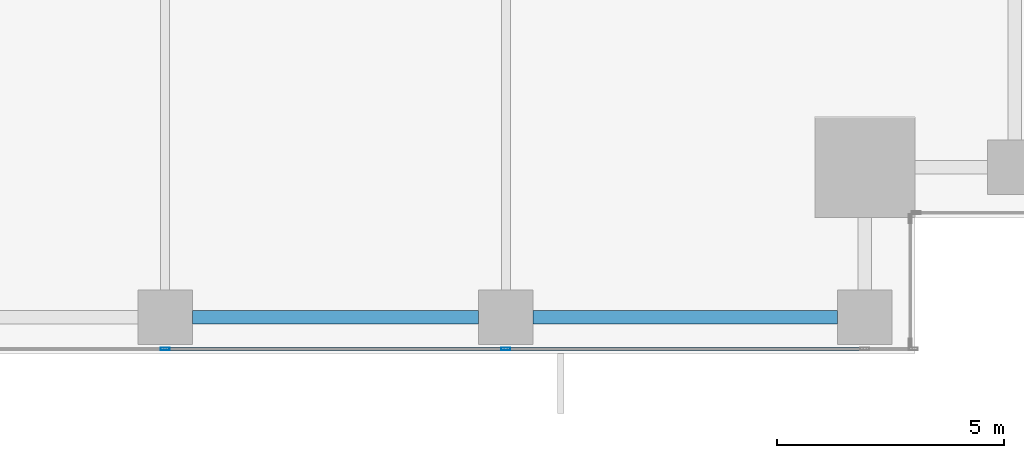
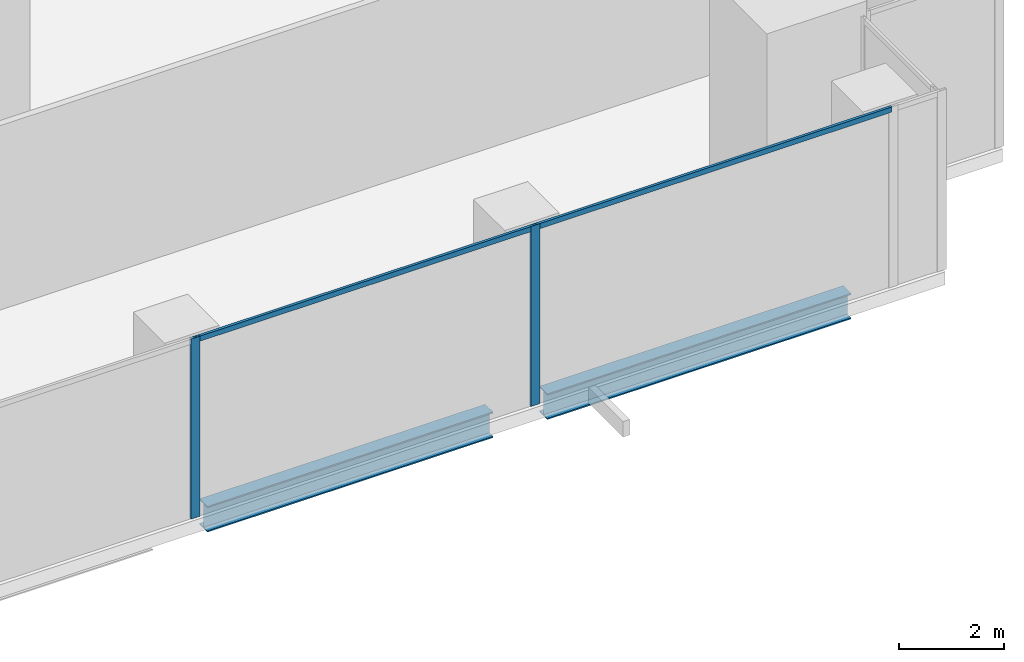
# One storey, part 7 of 32: 4 members, 2 beams, 1 element without a shape of its own.
"""IFC4 building model written with IfcOpenShell, lengths in metres."""

from ifc_helpers import new_model, si_unit, direction, frame, origin, origin_2d, place, context, subcontext, project, spatial, hollow_rectangle, i_section, extrude, source, transform, mapped, material, material_profile, profile_set, type_object, element, aggregate, save


model = new_model("IFC4")

# Units and contexts
model_context = context("Model", 3, precision=1e-05, world=origin(), true_north=direction((0.0, 1.0)))
body_context = subcontext(model_context, "Body", "Model", "MODEL_VIEW")
ifc_project = project(units=[si_unit("LENGTHUNIT", "METRE"), si_unit("AREAUNIT", "SQUARE_METRE"), si_unit("VOLUMEUNIT", "CUBIC_METRE"), si_unit("PLANEANGLEUNIT", "RADIAN"), si_unit("MASSUNIT", "GRAM", prefix="KILO")], contexts=[model_context])

# Site, building, storey
site_placement = place(None, origin())
site = spatial("IfcSite", under=ifc_project, at=site_placement, CompositionType="ELEMENT")
building_placement = place(site_placement, origin())
building = spatial("IfcBuilding", under=site, at=building_placement, Name="Khomas Fold Tower", CompositionType="ELEMENT")
storey_placement = place(building_placement, frame((0.0, 0.0, 42.0)))
storey = spatial("IfcBuildingStorey", under=building, at=storey_placement, Name="L08", CompositionType="ELEMENT", Elevation=42.0)

# Beams
ifc_material_1 = material(Name="Steel S355", Category="steel")
ifc_material_profile_1 = material_profile(ifc_material_1, i_section(OverallWidth=0.300048828125, OverallDepth=0.60009765625, WebThickness=0.015380859375, FlangeThickness=0.030029296875, at=origin_2d()), Name="HE 600 B")
ifc_profile_set_1 = profile_set([ifc_material_profile_1], Name="Steel S355")
beam_type = type_object("IfcBeamType", Name="HE 600 B spandrel SB1", PredefinedType="SPANDREL", material=ifc_profile_set_1)
shared_shape_1 = source(origin(), body_context, "Body", "SweptSolid", [
    extrude(i_section(OverallWidth=0.300048828125, OverallDepth=0.60009765625, WebThickness=0.015380859375, FlangeThickness=0.030029296875, at=origin_2d()), origin(), (0.0, 0.0, 1.0), 6.699951171875),
])
beam_1_placement = place(storey_placement, frame((42.60009765625, 0.800048828125, -0.60009765625), z_axis=(1.0, 0.0, 0.0), x_axis=(0.0, 1.0, 0.0)))
element("IfcBeam", 1, at=beam_1_placement, inside=storey, type_object=beam_type, Name="SB1", PredefinedType="SPANDREL", context=body_context, shape_type="MappedRepresentation", body=[
    mapped(shared_shape_1, transform((0.0, 0.0, 0.0))),
])
shared_shape_2 = source(origin(), body_context, "Body", "SweptSolid", [
    extrude(i_section(OverallWidth=0.300048828125, OverallDepth=0.60009765625, WebThickness=0.015380859375, FlangeThickness=0.030029296875, at=origin_2d()), origin(), (0.0, 0.0, 1.0), 6.2998046875),
])
beam_2_placement = place(storey_placement, frame((35.10009765625, 0.800048828125, -0.60009765625), z_axis=(1.0, 0.0, 0.0), x_axis=(0.0, 1.0, 0.0)))
element("IfcBeam", 2, at=beam_2_placement, inside=storey, type_object=beam_type, Name="SB1", PredefinedType="SPANDREL", context=body_context, shape_type="MappedRepresentation", body=[
    mapped(shared_shape_2, transform((0.0, 0.0, 0.0))),
])

# Curtain wall, members
ifc_material_2 = material(Name="Aluminium framed double glazing", Category="aluminium")
curtain_wall_type = type_object("IfcCurtainWallType", Name="SK-Unitised clear-glass wall, growing floors CW1", PredefinedType="NOTDEFINED", material=ifc_material_2)
curtain_wall_placement = place(storey_placement, origin())
curtain_wall = element("IfcCurtainWall", 3, at=curtain_wall_placement, inside=storey, type_object=curtain_wall_type, Name="CW1 run L08 00-0", PredefinedType="NOTDEFINED")
ifc_material_3 = material(Name="Aluminium", Category="aluminium")
ifc_material_profile_2 = material_profile(ifc_material_3, hollow_rectangle(XDim=0.06005859375, YDim=0.1201171875, WallThickness=0.00390625, at=origin_2d()), Name="SK-Unitised clear-glass wall, growing floors transom CW1-T")
ifc_profile_set_2 = profile_set([ifc_material_profile_2], Name="Aluminium")
member_type_1 = type_object("IfcMemberType", Name="SK-Unitised clear-glass wall, growing floors transom CW1-T", PredefinedType="USERDEFINED", material=ifc_profile_set_2)
shared_shape_3 = source(origin(), body_context, "Body", "SweptSolid", [
    extrude(hollow_rectangle(XDim=0.06005859375, YDim=0.1201171875, WallThickness=0.00390625, at=origin_2d()), origin(), (0.0, 0.0, 1.0), 7.840087890625),
])
member_1_placement = place(storey_placement, frame((42.030029296875, 0.10009765625, 4.139892578125), z_axis=(1.0, 0.0, 0.0), x_axis=(0.0, 1.0, 0.0)))
member_1 = element("IfcMember", 4, at=member_1_placement, type_object=member_type_1, Name="CW1 transom 7", ObjectType="TRANSOM", PredefinedType="USERDEFINED", context=body_context, shape_type="MappedRepresentation", body=[
    mapped(shared_shape_3, transform((0.0, 0.0, 0.0))),
])
shared_shape_4 = source(origin(), body_context, "Body", "SweptSolid", [
    extrude(hollow_rectangle(XDim=0.06005859375, YDim=0.1201171875, WallThickness=0.00390625, at=origin_2d()), origin(), (0.0, 0.0, 1.0), 7.43994140625),
])
member_2_placement = place(storey_placement, frame((34.530029296875, 0.10009765625, 4.139892578125), z_axis=(1.0, 0.0, 0.0), x_axis=(0.0, 1.0, 0.0)))
member_2 = element("IfcMember", 5, at=member_2_placement, type_object=member_type_1, Name="CW1 transom 6", ObjectType="TRANSOM", PredefinedType="USERDEFINED", context=body_context, shape_type="MappedRepresentation", body=[
    mapped(shared_shape_4, transform((0.0, 0.0, 0.0))),
])
ifc_material_4 = material(Name="Aluminium", Category="aluminium")
ifc_material_profile_3 = material_profile(ifc_material_4, hollow_rectangle(XDim=0.06005859375, YDim=0.199951171875, WallThickness=0.00390625, at=origin_2d()), Name="SK-Unitised clear-glass wall, growing floors mullion CW1-M")
ifc_profile_set_3 = profile_set([ifc_material_profile_3], Name="Aluminium")
member_type_2 = type_object("IfcMemberType", Name="SK-Unitised clear-glass wall, growing floors mullion CW1-M", PredefinedType="MULLION", material=ifc_profile_set_3)
shared_shape_5 = source(origin(), body_context, "Body", "SweptSolid", [
    extrude(hollow_rectangle(XDim=0.06005859375, YDim=0.199951171875, WallThickness=0.00390625, at=origin_2d()), origin(), (0.0, 0.0, 1.0), 4.199951171875),
])
member_3_placement = place(storey_placement, frame((34.5, 0.10009765625, 0.0), z_axis=(0.0, 0.0, 1.0), x_axis=(0.0, 1.0, 0.0)))
member_3 = element("IfcMember", 6, at=member_3_placement, type_object=member_type_2, Name="CW1 mullion 6", PredefinedType="MULLION", context=body_context, shape_type="MappedRepresentation", body=[
    mapped(shared_shape_5, transform((0.0, 0.0, 0.0))),
])
member_4_placement = place(storey_placement, frame((42.0, 0.10009765625, 0.0), z_axis=(0.0, 0.0, 1.0), x_axis=(0.0, 1.0, 0.0)))
member_4 = element("IfcMember", 7, at=member_4_placement, type_object=member_type_2, Name="CW1 mullion 7", PredefinedType="MULLION", context=body_context, shape_type="MappedRepresentation", body=[
    mapped(shared_shape_5, transform((0.0, 0.0, 0.0))),
])
aggregate(curtain_wall, [member_3, member_4, member_2, member_1])

save(model, "model.ifc")
